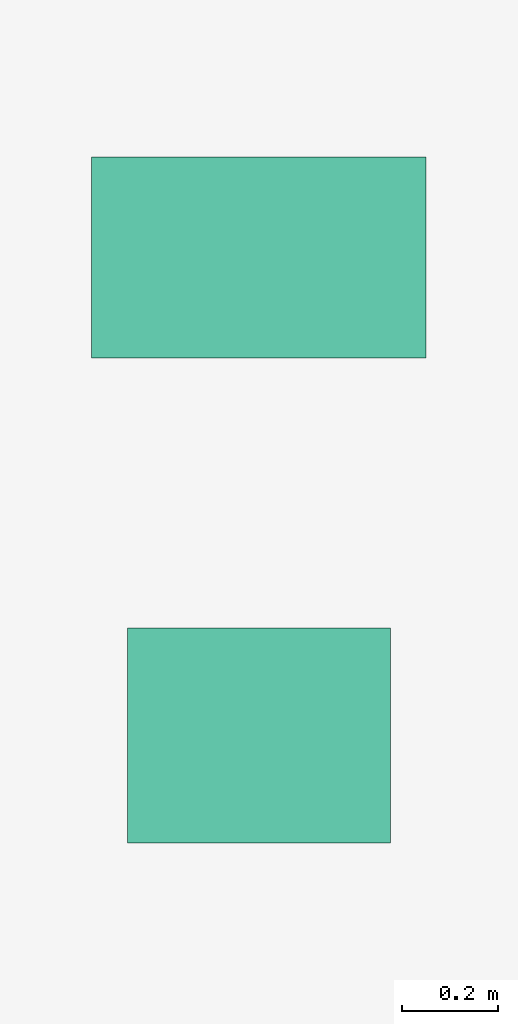
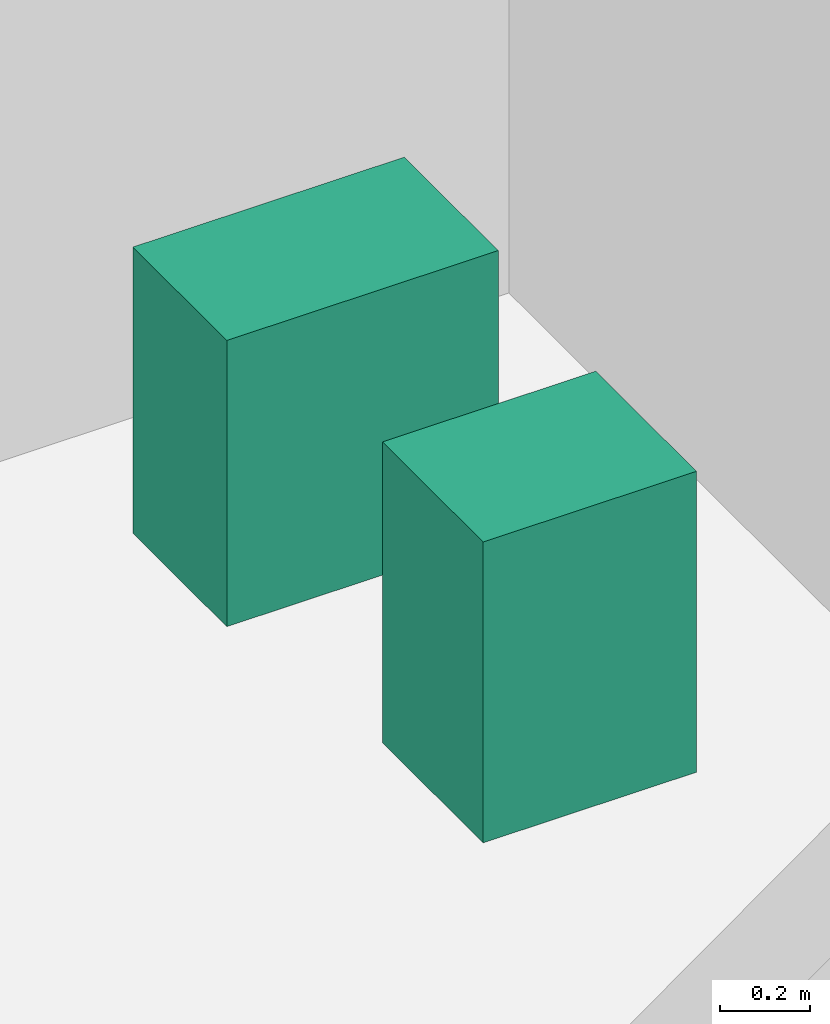
# One storey, part 32 of 32: 2 sanitary terminals.
"""IFC4 building model written with IfcOpenShell, lengths in metres."""

from ifc_helpers import new_model, si_unit, direction, frame, origin, origin_2d, place, context, subcontext, project, spatial, rectangle, extrude, source, transform, mapped, material, type_object, element, save


model = new_model("IFC4")

# Units and contexts
model_context = context("Model", 3, precision=1e-05, world=origin(), true_north=direction((0.0, 1.0)))
body_context = subcontext(model_context, "Body", "Model", "MODEL_VIEW")
ifc_project = project(units=[si_unit("LENGTHUNIT", "METRE"), si_unit("AREAUNIT", "SQUARE_METRE"), si_unit("VOLUMEUNIT", "CUBIC_METRE"), si_unit("PLANEANGLEUNIT", "RADIAN"), si_unit("MASSUNIT", "GRAM", prefix="KILO")], contexts=[model_context])

# Site, building, storey
site_placement = place(None, origin())
site = spatial("IfcSite", under=ifc_project, at=site_placement, CompositionType="ELEMENT")
building_placement = place(site_placement, origin())
building = spatial("IfcBuilding", under=site, at=building_placement, Name="Sumidabori Civic Tower", CompositionType="ELEMENT")
storey_placement = place(building_placement, frame((0.0, 0.0, 225.199951171875)))
storey = spatial("IfcBuildingStorey", under=building, at=storey_placement, Name="L58", CompositionType="ELEMENT", Elevation=225.199951171875)

# Sanitary terminals
ifc_material = material(Name="Vitreous Sanitary Porcelain")
sanitary_terminal_type_1 = type_object("IfcSanitaryTerminalType", Name="SN-WC-1", PredefinedType="TOILETPAN", material=ifc_material)
shared_shape_1 = source(origin(), body_context, "Body", "SweptSolid", [
    extrude(rectangle(XDim=0.699951171875, YDim=0.419921875, at=origin_2d()), origin(), (0.0, 0.0, 1.0), 0.780029296875),
])
sanitary_terminal_1_placement = place(storey_placement, frame((10.800048828125, 21.85009765625, 0.0), z_axis=(0.0, 0.0, 1.0), x_axis=(1.0, 0.0, 0.0)))
element("IfcSanitaryTerminal", 1, at=sanitary_terminal_1_placement, inside=storey, type_object=sanitary_terminal_type_1, Name="Accessible WC Pan L58", PredefinedType="TOILETPAN", context=body_context, shape_type="MappedRepresentation", body=[
    mapped(shared_shape_1, transform((0.0, 0.0, 0.0), x_axis=(1.0, 0.0, 0.0), y_axis=(0.0, 1.0, 0.0), z_axis=(0.0, 0.0, 1.0), scale=1.0)),
])
sanitary_terminal_type_2 = type_object("IfcSanitaryTerminalType", Name="SN-BAS-1", PredefinedType="WASHHANDBASIN", material=ifc_material)
shared_shape_2 = source(origin(), body_context, "Body", "SweptSolid", [
    extrude(rectangle(XDim=0.550048828125, YDim=0.449951171875, at=origin_2d()), origin(), (0.0, 0.0, 1.0), 0.820068359375),
])
sanitary_terminal_2_placement = place(storey_placement, frame((10.800048828125, 20.85009765625, 0.0), z_axis=(0.0, 0.0, 1.0), x_axis=(1.0, 0.0, 0.0)))
element("IfcSanitaryTerminal", 2, at=sanitary_terminal_2_placement, inside=storey, type_object=sanitary_terminal_type_2, Name="Accessible Basin L58", PredefinedType="WASHHANDBASIN", context=body_context, shape_type="MappedRepresentation", body=[
    mapped(shared_shape_2, transform((0.0, 0.0, 0.0), x_axis=(1.0, 0.0, 0.0), y_axis=(0.0, 1.0, 0.0), z_axis=(0.0, 0.0, 1.0), scale=1.0)),
])

save(model, "model.ifc")
